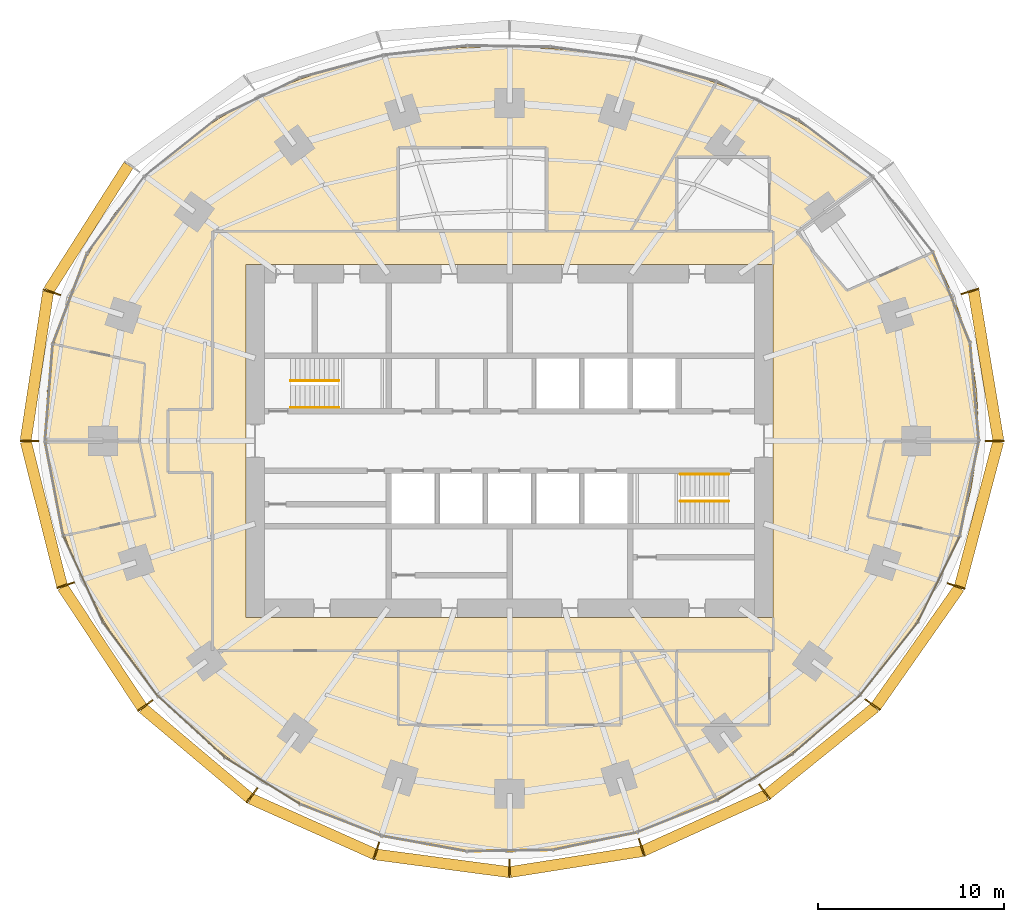
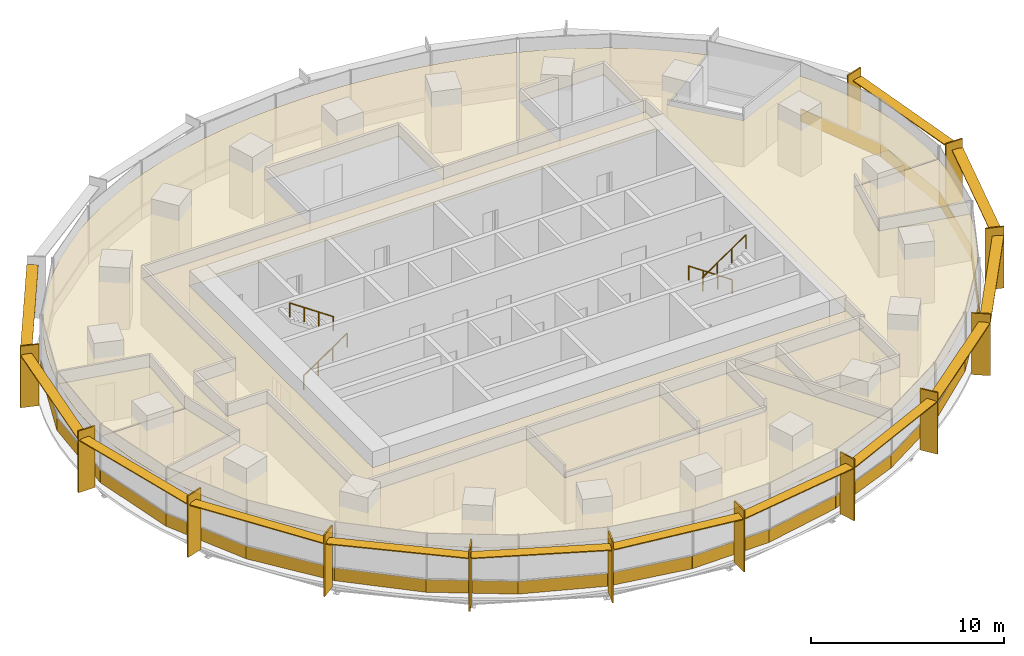
# One storey, part 13 of 14: 28 coverings, 26 shading devices, 4 railings.
"""IFC4 building model written with IfcOpenShell, lengths in metres."""

from ifc_helpers import new_model, si_unit, direction, frame, origin, origin_2d, place, context, subcontext, project, spatial, polyline, rectangle, circle, outline, extrude, material, layer, layer_set, type_object, element, save


model = new_model("IFC4")

# Units and contexts
model_context = context("Model", 3, precision=1e-05, world=origin(), true_north=direction((0.0, 1.0)))
body_context = subcontext(model_context, "Body", "Model", "MODEL_VIEW")
ifc_project = project(units=[si_unit("LENGTHUNIT", "METRE"), si_unit("AREAUNIT", "SQUARE_METRE"), si_unit("VOLUMEUNIT", "CUBIC_METRE"), si_unit("PLANEANGLEUNIT", "RADIAN"), si_unit("MASSUNIT", "GRAM", prefix="KILO")], contexts=[model_context])

# Site, building, storey
site_placement = place(None, origin())
site = spatial("IfcSite", under=ifc_project, at=site_placement, CompositionType="ELEMENT")
building_placement = place(site_placement, origin())
building = spatial("IfcBuilding", under=site, at=building_placement, Name="Marramba Exchange Tower", CompositionType="ELEMENT")
storey_placement = place(building_placement, frame((0.0, 0.0, 150.89990234375)))
storey = spatial("IfcBuildingStorey", under=building, at=storey_placement, Name="L36", CompositionType="ELEMENT", Elevation=150.89990234375)

# Shading devices
ifc_material_1 = material(Name="Aluminium blade, timber-look bronze finish", Category="wood")
ifc_layer_1 = layer(ifc_material_1, 0.080078125)
ifc_layer_set_1 = layer_set([ifc_layer_1], Name="Floor-edge blade 1000x80")
shading_device_type_1 = type_object("IfcShadingDeviceType", Name="Floor-edge blade 1000x80", PredefinedType="USERDEFINED", material=ifc_layer_set_1)
for number, where, z_axis, x_axis, name in (
    (1, (26.132080078125, 0.0, -0.159912109375), (0.0, 0.0, 1.0), (1.0, 0.0, 0.0), "Floor-edge blade FB1 L36 TC01"),
    (2, (24.798583984375, 8.0576171875, -0.159912109375), (0.0, 0.0, 1.0), (0.951056516295, 0.309016994375, 0.0), "Floor-edge blade FB1 L36 TC02"),
    (3, (-24.653076171875, 8.01025390625, -0.159912109375), (0.0, 0.0, 1.0), (-0.951056516295, 0.309016994375, 0.0), "Floor-edge blade FB1 L36 TC10"),
    (4, (-25.867919921875, 0.0, -0.159912109375), (0.0, 0.0, 1.0), (-1.0, 0.0, 0.0), "Floor-edge blade FB1 L36 TC11"),
    (5, (-23.90673828125, -7.767822265625, -0.159912109375), (0.0, 0.0, 1.0), (-0.951056516295, -0.309016994375, 0.0), "Floor-edge blade FB1 L36 TC12"),
    (6, (-19.618408203125, -14.253662109375, -0.159912109375), (0.0, 0.0, 1.0), (-0.809016994375, -0.587785252292, 0.0), "Floor-edge blade FB1 L36 TC13"),
    (7, (-13.866943359375, -19.08642578125, -0.159912109375), (0.0, 0.0, 1.0), (-0.587785252292, -0.809016994375, 0.0), "Floor-edge blade FB1 L36 TC14"),
    (8, (-7.173828125, -22.078857421875, -0.159912109375), (0.0, 0.0, 1.0), (-0.309016994375, -0.951056516295, 0.0), "Floor-edge blade FB1 L36 TC15"),
    (9, (0.0, -23.02685546875, -0.159912109375), (0.0, 0.0, 1.0), (0.0, -1.0, 0.0), "Floor-edge blade FB1 L36 TC16"),
    (10, (7.115966796875, -21.900634765625, -0.159912109375), (0.0, 0.0, 1.0), (0.309016994375, -0.951056516295, 0.0), "Floor-edge blade FB1 L36 TC17"),
    (11, (13.733154296875, -18.902099609375, -0.159912109375), (0.0, 0.0, 1.0), (0.587785252292, -0.809016994375, 0.0), "Floor-edge blade FB1 L36 TC18"),
    (12, (19.555908203125, -14.208251953125, -0.159912109375), (0.0, 0.0, 1.0), (0.809016994375, -0.587785252292, 0.0), "Floor-edge blade FB1 L36 TC19"),
    (13, (24.052001953125, -7.81494140625, -0.159912109375), (0.0, 0.0, 1.0), (0.951056516295, -0.309016994375, 0.0), "Floor-edge blade FB1 L36 TC20"),
):
    element("IfcShadingDevice", number, at=place(storey_placement, frame(where, z_axis=z_axis, x_axis=x_axis)), inside=storey, type_object=shading_device_type_1, Name=name, ObjectType="FIN", PredefinedType="USERDEFINED", context=body_context, shape_type="SweptSolid", body=[
        extrude(rectangle(XDim=1.0, YDim=0.080078125, at=origin_2d()), origin(), (0.0, 0.0, 1.0), 3.89990234375),
    ])
ifc_material_2 = material(Name="Aluminium sunshade, bronze anodised", Category="aluminium")
ifc_layer_2 = layer(ifc_material_2, 0.06005859375)
ifc_layer_set_2 = layer_set([ifc_layer_2], Name="SUNSHADE blade 600x60")
shading_device_type_2 = type_object("IfcShadingDeviceType", Name="SUNSHADE blade 600x60", PredefinedType="USERDEFINED", material=ifc_layer_set_2)
shading_device_1_placement = place(storey_placement, frame((25.660400390625, 4.0595703125, 3.16015625), z_axis=(0.0, 0.0, 1.0), x_axis=(-0.163227675764, 0.986588427798, 0.0)))
element("IfcShadingDevice", 14, at=shading_device_1_placement, inside=storey, type_object=shading_device_type_2, Name="Sunshade SS1 L36 bay 01", ObjectType="SUNSHADE", PredefinedType="USERDEFINED", context=body_context, shape_type="SweptSolid", body=[
    extrude(rectangle(XDim=8.149658203125, YDim=0.60009765625, at=origin_2d()), origin(), (0.0, 0.0, 1.0), 0.06005859375),
])
shading_device_2_placement = place(storey_placement, frame((-22.6708984375, 11.482421875, 3.16015625), z_axis=(0.0, 0.0, 1.0), x_axis=(-0.537284770546, -0.843400898351, 0.0)))
element("IfcShadingDevice", 15, at=shading_device_2_placement, inside=storey, type_object=shading_device_type_2, Name="Sunshade SS1 L36 bay 09", ObjectType="SUNSHADE", PredefinedType="USERDEFINED", context=body_context, shape_type="SweptSolid", body=[
    extrude(rectangle(XDim=8.007080078125, YDim=0.60009765625, at=origin_2d()), origin(), (0.0, 0.0, 1.0), 0.06005859375),
])
shading_device_3_placement = place(storey_placement, frame((-25.455810546875, 4.0361328125, 3.16015625), z_axis=(0.0, 0.0, 1.0), x_axis=(-0.14999307077, -0.988687047918, 0.0)))
element("IfcShadingDevice", 16, at=shading_device_3_placement, inside=storey, type_object=shading_device_type_2, Name="Sunshade SS1 L36 bay 10", ObjectType="SUNSHADE", PredefinedType="USERDEFINED", context=body_context, shape_type="SweptSolid", body=[
    extrude(rectangle(XDim=8.08447265625, YDim=0.60009765625, at=origin_2d()), origin(), (0.0, 0.0, 1.0), 0.06005859375),
])
shading_device_4_placement = place(storey_placement, frame((-25.08251953125, -3.914794921875, 3.16015625), z_axis=(0.0, 0.0, 1.0), x_axis=(0.244116522902, -0.969745906537, 0.0)))
element("IfcShadingDevice", 17, at=shading_device_4_placement, inside=storey, type_object=shading_device_type_2, Name="Sunshade SS1 L36 bay 11", ObjectType="SUNSHADE", PredefinedType="USERDEFINED", context=body_context, shape_type="SweptSolid", body=[
    extrude(rectangle(XDim=7.993896484375, YDim=0.60009765625, at=origin_2d()), origin(), (0.0, 0.0, 1.0), 0.06005859375),
])
shading_device_5_placement = place(storey_placement, frame((-21.938720703125, -11.100341796875, 3.16015625), z_axis=(0.0, 0.0, 1.0), x_axis=(0.550792342935, -0.834642315585, 0.0)))
element("IfcShadingDevice", 18, at=shading_device_5_placement, inside=storey, type_object=shading_device_type_2, Name="Sunshade SS1 L36 bay 12", ObjectType="SUNSHADE", PredefinedType="USERDEFINED", context=body_context, shape_type="SweptSolid", body=[
    extrude(rectangle(XDim=7.757568359375, YDim=0.60009765625, at=origin_2d()), origin(), (0.0, 0.0, 1.0), 0.06005859375),
])
shading_device_6_placement = place(storey_placement, frame((-16.88232421875, -16.8095703125, 3.16015625), z_axis=(0.0, 0.0, 1.0), x_axis=(0.76513863304, -0.643865569998, 0.0)))
element("IfcShadingDevice", 19, at=shading_device_6_placement, inside=storey, type_object=shading_device_type_2, Name="Sunshade SS1 L36 bay 13", ObjectType="SUNSHADE", PredefinedType="USERDEFINED", context=body_context, shape_type="SweptSolid", body=[
    extrude(rectangle(XDim=7.49462890625, YDim=0.60009765625, at=origin_2d()), origin(), (0.0, 0.0, 1.0), 0.06005859375),
])
shading_device_7_placement = place(storey_placement, frame((-10.610107421875, -20.758544921875, 3.16015625), z_axis=(0.0, 0.0, 1.0), x_axis=(0.912735880581, -0.408550134377, 0.0)))
element("IfcShadingDevice", 20, at=shading_device_7_placement, inside=storey, type_object=shading_device_type_2, Name="Sunshade SS1 L36 bay 14", ObjectType="SUNSHADE", PredefinedType="USERDEFINED", context=body_context, shape_type="SweptSolid", body=[
    extrude(rectangle(XDim=7.314208984375, YDim=0.60009765625, at=origin_2d()), origin(), (0.0, 0.0, 1.0), 0.06005859375),
])
shading_device_8_placement = place(storey_placement, frame((-3.617919921875, -22.748046875, 3.16015625), z_axis=(0.0, 0.0, 1.0), x_axis=(0.991350478855, -0.131241106646, 0.0)))
element("IfcShadingDevice", 21, at=shading_device_8_placement, inside=storey, type_object=shading_device_type_2, Name="Sunshade SS1 L36 bay 15", ObjectType="SUNSHADE", PredefinedType="USERDEFINED", context=body_context, shape_type="SweptSolid", body=[
    extrude(rectangle(XDim=7.21875, YDim=0.60009765625, at=origin_2d()), origin(), (0.0, 0.0, 1.0), 0.06005859375),
])
shading_device_9_placement = place(storey_placement, frame((3.5888671875, -22.658935546875, 3.16015625), z_axis=(0.0, 0.0, 1.0), x_axis=(0.987704817912, 0.15633039587, 0.0)))
element("IfcShadingDevice", 22, at=shading_device_9_placement, inside=storey, type_object=shading_device_type_2, Name="Sunshade SS1 L36 bay 16", ObjectType="SUNSHADE", PredefinedType="USERDEFINED", context=body_context, shape_type="SweptSolid", body=[
    extrude(rectangle(XDim=7.18701171875, YDim=0.60009765625, at=origin_2d()), origin(), (0.0, 0.0, 1.0), 0.06005859375),
])
shading_device_10_placement = place(storey_placement, frame((10.514404296875, -20.577392578125, 3.16015625), z_axis=(0.0, 0.0, 1.0), x_axis=(0.910692240548, 0.413085515366, 0.0)))
element("IfcShadingDevice", 23, at=shading_device_10_placement, inside=storey, type_object=shading_device_type_2, Name="Sunshade SS1 L36 bay 17", ObjectType="SUNSHADE", PredefinedType="USERDEFINED", context=body_context, shape_type="SweptSolid", body=[
    extrude(rectangle(XDim=7.24755859375, YDim=0.60009765625, at=origin_2d()), origin(), (0.0, 0.0, 1.0), 0.06005859375),
])
shading_device_11_placement = place(storey_placement, frame((16.7841796875, -16.69482421875, 3.16015625), z_axis=(0.0, 0.0, 1.0), x_axis=(0.777962439436, 0.628310785223, 0.0)))
element("IfcShadingDevice", 24, at=shading_device_11_placement, inside=storey, type_object=shading_device_type_2, Name="Sunshade SS1 L36 bay 18", ObjectType="SUNSHADE", PredefinedType="USERDEFINED", context=body_context, shape_type="SweptSolid", body=[
    extrude(rectangle(XDim=7.46142578125, YDim=0.60009765625, at=origin_2d()), origin(), (0.0, 0.0, 1.0), 0.06005859375),
])
shading_device_12_placement = place(storey_placement, frame((21.97998046875, -11.101318359375, 3.16015625), z_axis=(0.0, 0.0, 1.0), x_axis=(0.574350885858, 0.818609222959, 0.0)))
element("IfcShadingDevice", 25, at=shading_device_12_placement, inside=storey, type_object=shading_device_type_2, Name="Sunshade SS1 L36 bay 19", ObjectType="SUNSHADE", PredefinedType="USERDEFINED", context=body_context, shape_type="SweptSolid", body=[
    extrude(rectangle(XDim=7.7978515625, YDim=0.60009765625, at=origin_2d()), origin(), (0.0, 0.0, 1.0), 0.06005859375),
])
shading_device_13_placement = place(storey_placement, frame((25.287109375, -3.9384765625, 3.16015625), z_axis=(0.0, 0.0, 1.0), x_axis=(0.256422950151, 0.966564674833, 0.0)))
element("IfcShadingDevice", 26, at=shading_device_13_placement, inside=storey, type_object=shading_device_type_2, Name="Sunshade SS1 L36 bay 20", ObjectType="SUNSHADE", PredefinedType="USERDEFINED", context=body_context, shape_type="SweptSolid", body=[
    extrude(rectangle(XDim=8.0693359375, YDim=0.60009765625, at=origin_2d()), origin(), (0.0, 0.0, 1.0), 0.06005859375),
])

# Coverings
ifc_material_3 = material(Name="Aluminium spandrel panel, bronze anodised, insulated", Category="aluminium")
ifc_layer_3 = layer(ifc_material_3, 0.050048828125)
ifc_layer_set_3 = layer_set([ifc_layer_3], Name="Spandrel panel 800")
covering_type_1 = type_object("IfcCoveringType", Name="Spandrel panel 800", PredefinedType="CLADDING", material=ifc_layer_set_3)
covering_1_placement = place(storey_placement, frame((25.04541015625, 2.63671875, 0.0), z_axis=(0.0, 0.0, 1.0), x_axis=(-0.089412890131, 0.995994646109, 0.0)))
element("IfcCovering", 27, at=covering_1_placement, inside=storey, type_object=covering_type_1, Name="Spandrel panel SP1 L36 F01", PredefinedType="CLADDING", context=body_context, shape_type="SweptSolid", body=[
    extrude(rectangle(XDim=5.29443359375, YDim=0.050048828125, at=origin_2d()), origin(), (0.0, 0.0, 1.0), 0.800048828125),
])
covering_2_placement = place(storey_placement, frame((23.81201171875, 7.715576171875, 0.0), z_axis=(0.0, 0.0, 1.0), x_axis=(-0.377821185272, 0.925878583811, 0.0)))
element("IfcCovering", 28, at=covering_2_placement, inside=storey, type_object=covering_type_1, Name="Spandrel panel SP1 L36 F02", PredefinedType="CLADDING", context=body_context, shape_type="SweptSolid", body=[
    extrude(rectangle(XDim=5.27587890625, YDim=0.050048828125, at=origin_2d()), origin(), (0.0, 0.0, 1.0), 0.800048828125),
])
covering_3_placement = place(storey_placement, frame((-23.671875, 7.677490234375, 0.0), z_axis=(0.0, 0.0, 1.0), x_axis=(-0.354844476365, -0.934925343326, 0.0)))
element("IfcCovering", 29, at=covering_3_placement, inside=storey, type_object=covering_type_1, Name="Spandrel panel SP1 L36 F14", PredefinedType="CLADDING", context=body_context, shape_type="SweptSolid", body=[
    extrude(rectangle(XDim=5.2373046875, YDim=0.050048828125, at=origin_2d()), origin(), (0.0, 0.0, 1.0), 0.800048828125),
])
covering_4_placement = place(storey_placement, frame((-24.8095703125, 2.614501953125, 0.0), z_axis=(0.0, 0.0, 1.0), x_axis=(-0.079459700697, -0.996838079111, 0.0)))
element("IfcCovering", 30, at=covering_4_placement, inside=storey, type_object=covering_type_1, Name="Spandrel panel SP1 L36 F15", PredefinedType="CLADDING", context=body_context, shape_type="SweptSolid", body=[
    extrude(rectangle(XDim=5.245849609375, YDim=0.050048828125, at=origin_2d()), origin(), (0.0, 0.0, 1.0), 0.800048828125),
])
covering_5_placement = place(storey_placement, frame((-24.5283203125, -2.5546875, 0.0), z_axis=(0.0, 0.0, 1.0), x_axis=(0.188227222909, -0.982125507538, 0.0)))
element("IfcCovering", 31, at=covering_5_placement, inside=storey, type_object=covering_type_1, Name="Spandrel panel SP1 L36 F16", PredefinedType="CLADDING", context=body_context, shape_type="SweptSolid", body=[
    extrude(rectangle(XDim=5.20263671875, YDim=0.050048828125, at=origin_2d()), origin(), (0.0, 0.0, 1.0), 0.800048828125),
])
covering_6_placement = place(storey_placement, frame((-22.973876953125, -7.43212890625, 0.0), z_axis=(0.0, 0.0, 1.0), x_axis=(0.416737850896, -0.909026712275, 0.0)))
element("IfcCovering", 32, at=covering_6_placement, inside=storey, type_object=covering_type_1, Name="Spandrel panel SP1 L36 F17", PredefinedType="CLADDING", context=body_context, shape_type="SweptSolid", body=[
    extrude(rectangle(XDim=5.10986328125, YDim=0.050048828125, at=origin_2d()), origin(), (0.0, 0.0, 1.0), 0.800048828125),
])
covering_7_placement = place(storey_placement, frame((-20.419921875, -11.75439453125, 0.0), z_axis=(0.0, 0.0, 1.0), x_axis=(0.597304701232, -0.802014397555, 0.0)))
element("IfcCovering", 33, at=covering_7_placement, inside=storey, type_object=covering_type_1, Name="Spandrel panel SP1 L36 F18", PredefinedType="CLADDING", context=body_context, shape_type="SweptSolid", body=[
    extrude(rectangle(XDim=4.986572265625, YDim=0.050048828125, at=origin_2d()), origin(), (0.0, 0.0, 1.0), 0.800048828125),
])
covering_8_placement = place(storey_placement, frame((-17.135986328125, -15.39599609375, 0.0), z_axis=(0.0, 0.0, 1.0), x_axis=(0.737821889246, -0.674995451651, 0.0)))
element("IfcCovering", 34, at=covering_8_placement, inside=storey, type_object=covering_type_1, Name="Spandrel panel SP1 L36 F19", PredefinedType="CLADDING", context=body_context, shape_type="SweptSolid", body=[
    extrude(rectangle(XDim=4.865234375, YDim=0.050048828125, at=origin_2d()), origin(), (0.0, 0.0, 1.0), 0.800048828125),
])
covering_9_placement = place(storey_placement, frame((-13.31787109375, -18.300537109375, 0.0), z_axis=(0.0, 0.0, 1.0), x_axis=(0.848354599309, -0.529428440708, 0.0)))
element("IfcCovering", 35, at=covering_9_placement, inside=storey, type_object=covering_type_1, Name="Spandrel panel SP1 L36 F20", PredefinedType="CLADDING", context=body_context, shape_type="SweptSolid", body=[
    extrude(rectangle(XDim=4.76953125, YDim=0.050048828125, at=origin_2d()), origin(), (0.0, 0.0, 1.0), 0.800048828125),
])
covering_10_placement = place(storey_placement, frame((-9.10302734375, -20.416748046875, 0.0), z_axis=(0.0, 0.0, 1.0), x_axis=(0.931818387481, -0.362924913381, 0.0)))
element("IfcCovering", 36, at=covering_10_placement, inside=storey, type_object=covering_type_1, Name="Spandrel panel SP1 L36 F21", PredefinedType="CLADDING", context=body_context, shape_type="SweptSolid", body=[
    extrude(rectangle(XDim=4.704345703125, YDim=0.050048828125, at=origin_2d()), origin(), (0.0, 0.0, 1.0), 0.800048828125),
])
covering_11_placement = place(storey_placement, frame((-4.616943359375, -21.685302734375, 0.0), z_axis=(0.0, 0.0, 1.0), x_axis=(0.984031866928, -0.177992373069, 0.0)))
element("IfcCovering", 37, at=covering_11_placement, inside=storey, type_object=covering_type_1, Name="Spandrel panel SP1 L36 F22", PredefinedType="CLADDING", context=body_context, shape_type="SweptSolid", body=[
    extrude(rectangle(XDim=4.662841796875, YDim=0.050048828125, at=origin_2d()), origin(), (0.0, 0.0, 1.0), 0.800048828125),
])
covering_12_placement = place(storey_placement, frame((-0.003662109375, -22.065185546875, 0.0), z_axis=(0.0, 0.0, 1.0), x_axis=(0.999884797651, 0.015178650325, 0.0)))
element("IfcCovering", 38, at=covering_12_placement, inside=storey, type_object=covering_type_1, Name="Spandrel panel SP1 L36 F23", PredefinedType="CLADDING", context=body_context, shape_type="SweptSolid", body=[
    extrude(rectangle(XDim=4.638916015625, YDim=0.050048828125, at=origin_2d()), origin(), (0.0, 0.0, 1.0), 0.800048828125),
])
covering_13_placement = place(storey_placement, frame((4.58447265625, -21.56103515625, 0.0), z_axis=(0.0, 0.0, 1.0), x_axis=(0.979310200528, 0.202364846604, 0.0)))
element("IfcCovering", 39, at=covering_13_placement, inside=storey, type_object=covering_type_1, Name="Spandrel panel SP1 L36 F24", PredefinedType="CLADDING", context=body_context, shape_type="SweptSolid", body=[
    extrude(rectangle(XDim=4.6337890625, YDim=0.050048828125, at=origin_2d()), origin(), (0.0, 0.0, 1.0), 0.800048828125),
])
covering_14_placement = place(storey_placement, frame((9.014892578125, -20.225341796875, 0.0), z_axis=(0.0, 0.0, 1.0), x_axis=(0.928148914987, 0.372209069755, 0.0)))
element("IfcCovering", 40, at=covering_14_placement, inside=storey, type_object=covering_type_1, Name="Spandrel panel SP1 L36 F25", PredefinedType="CLADDING", context=body_context, shape_type="SweptSolid", body=[
    extrude(rectangle(XDim=4.657958984375, YDim=0.050048828125, at=origin_2d()), origin(), (0.0, 0.0, 1.0), 0.800048828125),
])
covering_15_placement = place(storey_placement, frame((13.193115234375, -18.125244140625, 0.0), z_axis=(0.0, 0.0, 1.0), x_axis=(0.853109118827, 0.521732528576, 0.0)))
element("IfcCovering", 41, at=covering_15_placement, inside=storey, type_object=covering_type_1, Name="Spandrel panel SP1 L36 F26", PredefinedType="CLADDING", context=body_context, shape_type="SweptSolid", body=[
    extrude(rectangle(XDim=4.7275390625, YDim=0.050048828125, at=origin_2d()), origin(), (0.0, 0.0, 1.0), 0.800048828125),
])
covering_16_placement = place(storey_placement, frame((17.038818359375, -15.30029296875, 0.0), z_axis=(0.0, 0.0, 1.0), x_axis=(0.754385510875, 0.656431642277, 0.0)))
element("IfcCovering", 42, at=covering_16_placement, inside=storey, type_object=covering_type_1, Name="Spandrel panel SP1 L36 F27", PredefinedType="CLADDING", context=body_context, shape_type="SweptSolid", body=[
    extrude(rectangle(XDim=4.849609375, YDim=0.050048828125, at=origin_2d()), origin(), (0.0, 0.0, 1.0), 0.800048828125),
])
covering_17_placement = place(storey_placement, frame((20.425048828125, -11.747802734375, 0.0), z_axis=(0.0, 0.0, 1.0), x_axis=(0.621807470279, 0.783170141097, 0.0)))
element("IfcCovering", 43, at=covering_17_placement, inside=storey, type_object=covering_type_1, Name="Spandrel panel SP1 L36 F28", PredefinedType="CLADDING", context=body_context, shape_type="SweptSolid", body=[
    extrude(rectangle(XDim=5.00732421875, YDim=0.050048828125, at=origin_2d()), origin(), (0.0, 0.0, 1.0), 0.800048828125),
])
covering_18_placement = place(storey_placement, frame((23.114013671875, -7.47021484375, 0.0), z_axis=(0.0, 0.0, 1.0), x_axis=(0.439086346903, 0.898444867515, 0.0)))
element("IfcCovering", 44, at=covering_18_placement, inside=storey, type_object=covering_type_1, Name="Spandrel panel SP1 L36 F29", PredefinedType="CLADDING", context=body_context, shape_type="SweptSolid", body=[
    extrude(rectangle(XDim=5.156982421875, YDim=0.050048828125, at=origin_2d()), origin(), (0.0, 0.0, 1.0), 0.800048828125),
])
covering_19_placement = place(storey_placement, frame((24.76416015625, -2.576904296875, 0.0), z_axis=(0.0, 0.0, 1.0), x_axis=(0.197048514193, 0.980393738788, 0.0)))
element("IfcCovering", 45, at=covering_19_placement, inside=storey, type_object=covering_type_1, Name="Spandrel panel SP1 L36 F30", PredefinedType="CLADDING", context=body_context, shape_type="SweptSolid", body=[
    extrude(rectangle(XDim=5.2568359375, YDim=0.050048828125, at=origin_2d()), origin(), (0.0, 0.0, 1.0), 0.800048828125),
])

# Railings
ifc_material_4 = material(Name="Stainless steel handrail", Category="steel")
railing_type = type_object("IfcRailingType", Name="Stair handrail 900", PredefinedType="HANDRAIL", material=ifc_material_4)
railing_1_placement = place(storey_placement, frame((-11.800048828125, 1.800048828125, 0.177490234375)))
element("IfcRailing", 46, at=railing_1_placement, inside=storey, type_object=railing_type, Name="Handrail HR1 ST1 L36 flight 1", PredefinedType="HANDRAIL", context=body_context, shape_type="SweptSolid", body=[
    extrude(circle(Radius=0.02392578125, at=origin_2d()), frame((0.0, 0.0, 0.8759765625), z_axis=(0.826240473404, 0.0, 0.563317565952), x_axis=(0.0, 1.0, 0.0)), (0.0, 0.0, 1.0), 3.14697265625),
    extrude(circle(Radius=0.02099609375, at=origin_2d()), origin(), (0.0, 0.0, 1.0), 0.851806640625),
    extrude(circle(Radius=0.02099609375, at=origin_2d()), frame((0.86669921875, 0.0, 0.5908203125)), (0.0, 0.0, 1.0), 0.851806640625),
    extrude(circle(Radius=0.02099609375, at=origin_2d()), frame((1.7333984375, 0.0, 1.181884765625)), (0.0, 0.0, 1.0), 0.851806640625),
    extrude(circle(Radius=0.02099609375, at=origin_2d()), frame((2.60009765625, 0.0, 1.772705078125)), (0.0, 0.0, 1.0), 0.851806640625),
])
for number, where, name in (
    (47, (-9.199951171875, 3.25, 2.12744140625), "Handrail HR1 ST1 L36 flight 2"),
    (48, (11.800048828125, -1.800048828125, 0.177490234375), "Handrail HR1 ST2 L36 flight 1"),
):
    element("IfcRailing", number, at=place(storey_placement, frame(where)), inside=storey, type_object=railing_type, Name=name, PredefinedType="HANDRAIL", context=body_context, shape_type="SweptSolid", body=[
        extrude(circle(Radius=0.02392578125, at=origin_2d()), frame((0.0, 0.0, 0.8759765625), z_axis=(-0.826240473404, 0.0, 0.563317565952), x_axis=(0.0, -1.0, 0.0)), (0.0, 0.0, 1.0), 3.14697265625),
        extrude(circle(Radius=0.02099609375, at=origin_2d()), origin(), (0.0, 0.0, 1.0), 0.851806640625),
        extrude(circle(Radius=0.02099609375, at=origin_2d()), frame((-0.86669921875, 0.0, 0.5908203125)), (0.0, 0.0, 1.0), 0.851806640625),
        extrude(circle(Radius=0.02099609375, at=origin_2d()), frame((-1.7333984375, 0.0, 1.181884765625)), (0.0, 0.0, 1.0), 0.851806640625),
        extrude(circle(Radius=0.02099609375, at=origin_2d()), frame((-2.60009765625, 0.0, 1.772705078125)), (0.0, 0.0, 1.0), 0.851806640625),
    ])
railing_2_placement = place(storey_placement, frame((9.199951171875, -3.25, 2.12744140625)))
element("IfcRailing", 49, at=railing_2_placement, inside=storey, type_object=railing_type, Name="Handrail HR1 ST2 L36 flight 2", PredefinedType="HANDRAIL", context=body_context, shape_type="SweptSolid", body=[
    extrude(circle(Radius=0.02392578125, at=origin_2d()), frame((0.0, 0.0, 0.8759765625), z_axis=(0.826240473404, 0.0, 0.563317565952), x_axis=(0.0, 1.0, 0.0)), (0.0, 0.0, 1.0), 3.14697265625),
    extrude(circle(Radius=0.02099609375, at=origin_2d()), origin(), (0.0, 0.0, 1.0), 0.851806640625),
    extrude(circle(Radius=0.02099609375, at=origin_2d()), frame((0.86669921875, 0.0, 0.5908203125)), (0.0, 0.0, 1.0), 0.851806640625),
    extrude(circle(Radius=0.02099609375, at=origin_2d()), frame((1.7333984375, 0.0, 1.181884765625)), (0.0, 0.0, 1.0), 0.851806640625),
    extrude(circle(Radius=0.02099609375, at=origin_2d()), frame((2.60009765625, 0.0, 1.772705078125)), (0.0, 0.0, 1.0), 0.851806640625),
])

# Coverings
ifc_material_5 = material(Name="Mineral fibre ceiling tiles", Category="gypsum")
ifc_layer_4 = layer(ifc_material_5, 0.02001953125)
ifc_layer_set_4 = layer_set([ifc_layer_4], Name="Suspended ceiling 20")
covering_type_2 = type_object("IfcCoveringType", Name="Suspended ceiling 20", PredefinedType="CEILING", material=ifc_layer_set_4)
covering_20_placement = place(storey_placement, frame((0.0, 0.0, 2.900146484375)))
element("IfcCovering", 50, at=covering_20_placement, inside=storey, type_object=covering_type_2, Name="Ceiling CL1 L36 Open Plan Office 1", PredefinedType="CEILING", context=body_context, shape_type="SweptSolid", body=[
    extrude(outline(polyline([(14.199951171875, -9.5), (14.199951171875, 9.5), (14.199951171875, 11.300048828125), (14.0, 11.300048828125), (14.0, 15.300048828125), (9.0, 15.300048828125), (9.0, 11.300048828125), (6.524169921875, 11.300048828125), (11.13671875, 19.289306640625), (12.24658203125, 18.8583984375), (13.348876953125, 18.373046875), (14.43896484375, 17.830810546875), (15.512451171875, 17.228271484375), (16.563720703125, 16.563720703125), (17.5869140625, 15.835205078125), (18.5751953125, 15.041748046875), (19.521484375, 14.18310546875), (15.4765625, 11.244384765625), (18.174560546875, 8.091796875), (22.7421875, 10.12548828125), (23.3701171875, 8.970947265625), (23.9140625, 7.77001953125), (24.368896484375, 6.529541015625), (24.73046875, 5.256591796875), (24.99560546875, 3.958984375), (25.16259765625, 2.644775390625), (25.231201171875, 1.322265625), (25.201904296875, 0.0), (20.201904296875, 0.0), (19.277099609375, -4.097412109375), (24.16796875, -5.136962890625), (23.703125, -6.351318359375), (23.16748046875, -7.527587890625), (22.5673828125, -8.662841796875), (21.90869140625, -9.75439453125), (21.197509765625, -10.80078125), (20.439697265625, -11.80078125), (19.64013671875, -12.75439453125), (18.803466796875, -13.66162109375), (17.93359375, -14.5224609375), (17.033935546875, -15.33740234375), (16.107421875, -16.107421875), (15.156005859375, -16.83251953125), (14.181884765625, -17.51318359375), (13.1865234375, -18.14990234375), (12.171142578125, -18.741943359375), (11.13671875, -19.289306640625), (6.524169921875, -11.300048828125), (9.0, -11.300048828125), (9.0, -15.300048828125), (14.0, -15.300048828125), (14.0, -11.300048828125), (14.199951171875, -11.300048828125), (14.199951171875, -9.5)])), origin(), (0.0, 0.0, 1.0), 0.02001953125),
])
covering_21_placement = place(storey_placement, frame((0.0, 0.0, 2.900146484375)))
element("IfcCovering", 51, at=covering_21_placement, inside=storey, type_object=covering_type_2, Name="Ceiling CL1 L36 Open Plan Office 2", PredefinedType="CEILING", context=body_context, shape_type="SweptSolid", body=[
    extrude(outline(polyline([(-16.0, 1.699951171875), (-18.39990234375, 1.699951171875), (-18.39990234375, -1.699951171875), (-16.0, -1.699951171875), (-16.0, -11.300048828125), (-6.0, -11.300048828125), (-6.0, -15.300048828125), (2.0, -15.300048828125), (6.0, -15.300048828125), (6.0, -11.300048828125), (6.524169921875, -11.300048828125), (9.422607421875, -16.3203125), (11.13671875, -19.289306640625), (10.083984375, -19.791259765625), (9.0146484375, -20.2470703125), (7.928955078125, -20.65576171875), (6.82861328125, -21.01611328125), (5.714599609375, -21.3271484375), (4.58837890625, -21.587158203125), (3.4521484375, -21.79541015625), (2.30712890625, -21.950439453125), (1.15576171875, -22.05126953125), (0.0, -22.096923828125), (-1.157470703125, -22.0869140625), (-2.314453125, -22.020751953125), (-3.468505859375, -21.898193359375), (-4.61669921875, -21.719482421875), (-5.7568359375, -21.484619140625), (-6.886474609375, -21.1943359375), (-8.00341796875, -20.84912109375), (-9.10498046875, -20.4501953125), (-10.189453125, -19.997802734375), (-11.2548828125, -19.493896484375), (-12.299072265625, -18.938720703125), (-13.3203125, -18.333984375), (-14.317138671875, -17.68017578125), (-15.28759765625, -16.978515625), (-16.229736328125, -16.229736328125), (-17.1416015625, -15.434326171875), (-18.021240234375, -14.59326171875), (-18.865966796875, -13.706787109375), (-19.673095703125, -12.77587890625), (-20.439697265625, -11.80078125), (-21.162109375, -10.78271484375), (-21.836181640625, -9.72216796875), (-22.457763671875, -8.62060546875), (-23.022216796875, -7.48046875), (-23.52490234375, -6.303466796875), (-23.96044921875, -5.093017578125), (-19.069580078125, -4.053466796875), (-19.93798828125, 0.0), (-19.632080078125, 4.173095703125), (-24.52294921875, 5.21240234375), (-24.1904296875, 6.481689453125), (-23.768798828125, 7.722900390625), (-23.260498046875, 8.928955078125), (-22.669677734375, 10.09326171875), (-22.0009765625, 11.2099609375), (-21.259765625, 12.2744140625), (-20.451904296875, 13.28173828125), (-19.583984375, 14.228759765625), (-18.66259765625, 15.11279296875), (-17.6943359375, 15.93212890625), (-16.685791015625, 16.685791015625), (-15.643798828125, 17.374267578125), (-14.57421875, 17.99755859375), (-13.482666015625, 18.55712890625), (-12.37451171875, 19.05517578125), (-11.2548828125, 19.493896484375), (-10.127197265625, 19.875732421875), (-8.995361328125, 20.203857421875), (-7.862060546875, 20.4814453125), (-6.7294921875, 20.711181640625), (-5.59912109375, 20.896484375), (-4.47216796875, 21.0400390625), (-3.34912109375, 21.14453125), (-2.2294921875, 21.212158203125), (-1.11328125, 21.244384765625), (0.0, 21.2431640625), (1.111572265625, 21.208740234375), (2.22216796875, 21.1416015625), (3.332763671875, 21.041748046875), (4.444091796875, 20.907958984375), (5.556884765625, 20.739013671875), (6.671630859375, 20.533203125), (7.787841796875, 20.287841796875), (8.905029296875, 20.0009765625), (10.02197265625, 19.6689453125), (11.13671875, 19.289306640625), (9.422607421875, 16.3203125), (6.524169921875, 11.300048828125), (2.0, 11.300048828125), (2.0, 15.800048828125), (-6.0, 15.800048828125), (-6.0, 11.300048828125), (-16.0, 11.300048828125), (-16.0, 1.699951171875)])), origin(), (0.0, 0.0, 1.0), 0.02001953125),
])
covering_22_placement = place(storey_placement, frame((0.0, 0.0, 2.900146484375)))
element("IfcCovering", 52, at=covering_22_placement, inside=storey, type_object=covering_type_2, Name="Ceiling CL1 L36 Corridor", PredefinedType="CEILING", context=body_context, shape_type="SweptSolid", body=[
    extrude(outline(polyline([(14.199951171875, -11.300048828125), (-16.0, -11.300048828125), (-16.0, -1.699951171875), (-18.39990234375, -1.699951171875), (-18.39990234375, 1.699951171875), (-16.0, 1.699951171875), (-16.0, 11.300048828125), (14.199951171875, 11.300048828125), (14.199951171875, 9.5), (-14.199951171875, 9.5), (-14.199951171875, 1.699951171875), (-14.199951171875, -1.699951171875), (-14.199951171875, -9.5), (14.199951171875, -9.5), (14.199951171875, -11.300048828125)])), origin(), (0.0, 0.0, 1.0), 0.02001953125),
])
covering_23_placement = place(storey_placement, frame((0.0, 0.0, 2.900146484375)))
element("IfcCovering", 53, at=covering_23_placement, inside=storey, type_object=covering_type_2, Name="Ceiling CL1 L36 Office 2", PredefinedType="CEILING", context=body_context, shape_type="SweptSolid", body=[
    extrude(outline(polyline([(25.181884765625, -0.212646484375), (25.077392578125, -1.314208984375), (24.96533203125, -1.984619140625), (24.8603515625, -2.61279296875), (24.80078125, -2.862548828125), (24.555419921875, -3.88916015625), (24.16796875, -5.136962890625), (19.277099609375, -4.097412109375), (20.201904296875, 0.0), (25.201904296875, 0.0), (25.181884765625, -0.212646484375)])), origin(), (0.0, 0.0, 1.0), 0.02001953125),
])
covering_24_placement = place(storey_placement, frame((0.0, 0.0, 2.900146484375)))
element("IfcCovering", 54, at=covering_24_placement, inside=storey, type_object=covering_type_2, Name="Ceiling CL1 L36 Office 3", PredefinedType="CEILING", context=body_context, shape_type="SweptSolid", body=[
    extrude(outline(polyline([(-24.94140625, 0.136474609375), (-24.970947265625, 1.30859375), (-24.913330078125, 2.618408203125), (-24.76416015625, 3.92236328125), (-24.6044921875, 4.775390625), (-24.52294921875, 5.21240234375), (-19.632080078125, 4.173095703125), (-19.93798828125, 0.0), (-24.93798828125, 0.0), (-24.94140625, 0.136474609375)])), origin(), (0.0, 0.0, 1.0), 0.02001953125),
])
covering_25_placement = place(storey_placement, frame((0.0, 0.0, 2.900146484375)))
element("IfcCovering", 55, at=covering_25_placement, inside=storey, type_object=covering_type_2, Name="Ceiling CL1 L36 Office 4", PredefinedType="CEILING", context=body_context, shape_type="SweptSolid", body=[
    extrude(outline(polyline([(-24.113525390625, -4.57080078125), (-24.32421875, -3.8525390625), (-24.611083984375, -2.586669921875), (-24.81689453125, -1.300537109375), (-24.93798828125, 0.0), (-19.93798828125, 0.0), (-19.069580078125, -4.053466796875), (-23.96044921875, -5.093017578125), (-24.113525390625, -4.57080078125)])), origin(), (0.0, 0.0, 1.0), 0.02001953125),
])
covering_26_placement = place(storey_placement, frame((0.0, 0.0, 2.900146484375)))
element("IfcCovering", 56, at=covering_26_placement, inside=storey, type_object=covering_type_2, Name="Ceiling CL1 L36 Meeting Room 2", PredefinedType="CEILING", context=body_context, shape_type="SweptSolid", body=[
    extrude(outline(polyline([(14.0, -15.300048828125), (9.0, -15.300048828125), (9.0, -11.300048828125), (14.0, -11.300048828125), (14.0, -15.300048828125)])), origin(), (0.0, 0.0, 1.0), 0.02001953125),
])
covering_27_placement = place(storey_placement, frame((0.0, 0.0, 2.900146484375)))
element("IfcCovering", 57, at=covering_27_placement, inside=storey, type_object=covering_type_2, Name="Ceiling CL1 L36 Pantry", PredefinedType="CEILING", context=body_context, shape_type="SweptSolid", body=[
    extrude(outline(polyline([(2.0, -15.300048828125), (-6.0, -15.300048828125), (-6.0, -11.300048828125), (2.0, -11.300048828125), (2.0, -15.300048828125)])), origin(), (0.0, 0.0, 1.0), 0.02001953125),
])
covering_28_placement = place(storey_placement, frame((0.0, 0.0, 2.900146484375)))
element("IfcCovering", 58, at=covering_28_placement, inside=storey, type_object=covering_type_2, Name="Ceiling CL1 L36 Interview Room", PredefinedType="CEILING", context=body_context, shape_type="SweptSolid", body=[
    extrude(outline(polyline([(6.0, -15.300048828125), (2.0, -15.300048828125), (2.0, -11.300048828125), (6.0, -11.300048828125), (6.0, -15.300048828125)])), origin(), (0.0, 0.0, 1.0), 0.02001953125),
])

save(model, "model.ifc")
